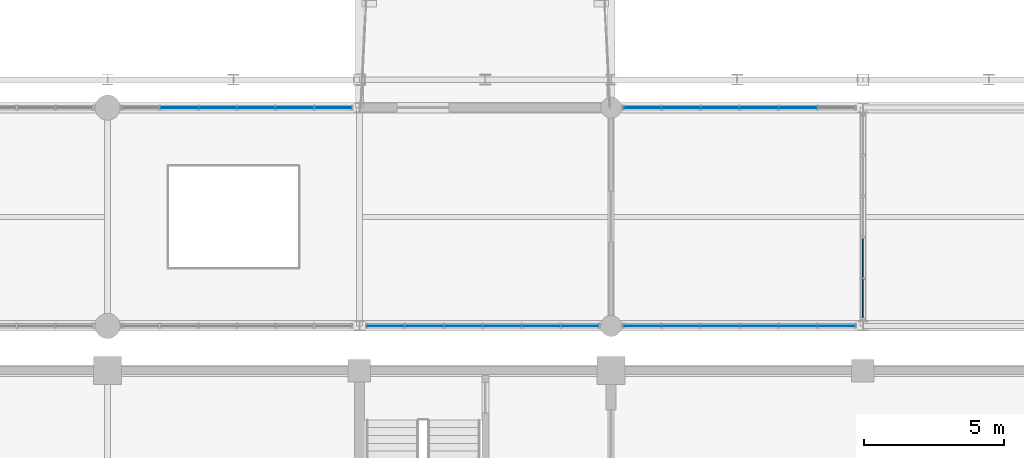
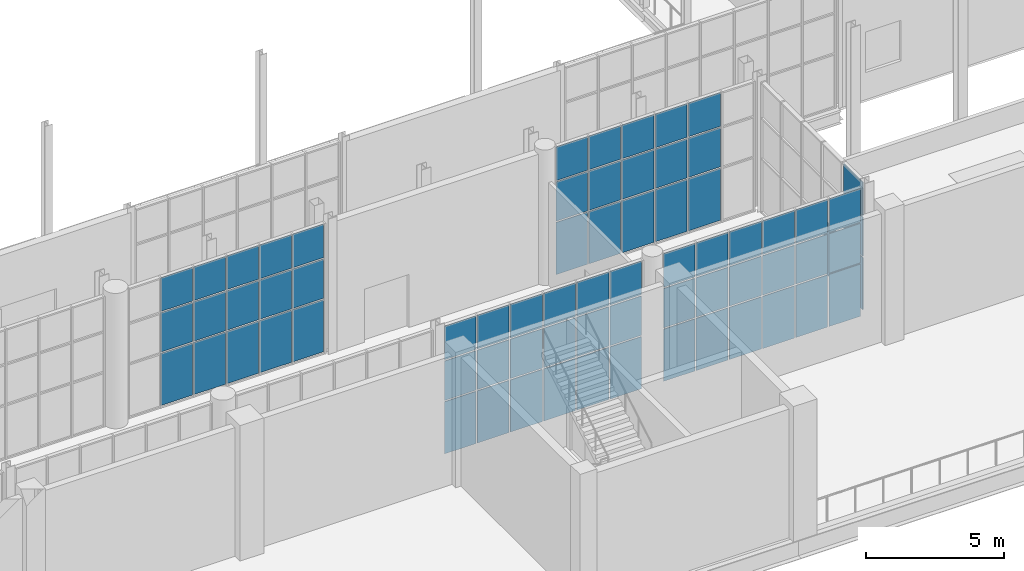
# One storey, part 111 of 159: 70 plates, 5 elements without a shape of their own.
"""IFC4 building model written with IfcOpenShell, lengths in metres."""

from ifc_helpers import new_model, si_unit, direction, frame, origin, origin_2d, place, context, subcontext, project, spatial, rectangle, extrude, material, layer, layer_set, type_object, element, aggregate, save


model = new_model("IFC4")

# Units and contexts
model_context = context("Model", 3, precision=1e-05, world=origin(), true_north=direction((0.0, 1.0)))
body_context = subcontext(model_context, "Body", "Model", "MODEL_VIEW")
ifc_project = project(units=[si_unit("LENGTHUNIT", "METRE"), si_unit("AREAUNIT", "SQUARE_METRE"), si_unit("VOLUMEUNIT", "CUBIC_METRE"), si_unit("PLANEANGLEUNIT", "RADIAN"), si_unit("MASSUNIT", "GRAM", prefix="KILO")], contexts=[model_context])

# Site, building, storey
site_placement = place(None, origin())
site = spatial("IfcSite", under=ifc_project, at=site_placement, CompositionType="ELEMENT")
building_placement = place(site_placement, origin())
building = spatial("IfcBuilding", under=site, at=building_placement, Name="Cazmaro Siding Exhibition Halls", CompositionType="ELEMENT")
storey_placement = place(building_placement, frame((0.0, 0.0, 6.0)))
storey = spatial("IfcBuildingStorey", under=building, at=storey_placement, Name="L01", CompositionType="ELEMENT", Elevation=6.0)

# Curtain wall, plates
ifc_material_1 = material(Name="Anodized Bronze Aluminum and Solar-Control Low-E Glazing", Category="aluminium")
ifc_layer_1 = layer(ifc_material_1, 0.179931640625)
ifc_layer_set_1 = layer_set([ifc_layer_1], Name="Anodized Bronze Aluminum and Solar-Control Low-E Glazing")
curtain_wall_type_1 = type_object("IfcCurtainWallType", Name="CWS-01", PredefinedType="USERDEFINED", material=ifc_layer_set_1)
curtain_wall_1_placement = place(storey_placement, origin())
curtain_wall_1 = element("IfcCurtainWall", 1, at=curtain_wall_1_placement, inside=storey, type_object=curtain_wall_type_1, Name="Glazed Curtain Wall CWS-01 CW-194", ObjectType="GLAZED CURTAIN WALL", PredefinedType="USERDEFINED")
ifc_material_2 = material(Name="Solar-Control Low-E Double Insulating Glass", Category="glass")
ifc_layer_2 = layer(ifc_material_2, 0.02392578125)
ifc_layer_set_2 = layer_set([ifc_layer_2], Name="Solar-Control Low-E Double Insulating Glass")
plate_type_1 = type_object("IfcPlateType", Name="CWP-01", PredefinedType="CURTAIN_PANEL", material=ifc_layer_set_2)
plate_1_placement = place(storey_placement, frame((134.064453125, 63.0, 0.06005859375), z_axis=(0.0, 0.0, 1.0), x_axis=(-1.0, 0.0, 0.0)))
plate_1 = element("IfcPlate", 2, at=plate_1_placement, type_object=plate_type_1, Name="CWS-01 panel 1.1", PredefinedType="CURTAIN_PANEL", context=body_context, shape_type="SweptSolid", body=[
    extrude(rectangle(XDim=1.291259765625, YDim=0.02392578125, at=origin_2d()), origin(), (0.0, 0.0, 1.0), 2.31005859375),
])
plate_2_placement = place(storey_placement, frame((134.064453125, 63.0, 2.43017578125), z_axis=(0.0, 0.0, 1.0), x_axis=(-1.0, 0.0, 0.0)))
plate_2 = element("IfcPlate", 3, at=plate_2_placement, type_object=plate_type_1, Name="CWS-01 panel 1.2", PredefinedType="CURTAIN_PANEL", context=body_context, shape_type="SweptSolid", body=[
    extrude(rectangle(XDim=1.291259765625, YDim=0.02392578125, at=origin_2d()), origin(), (0.0, 0.0, 1.0), 1.739990234375),
])
plate_3_placement = place(storey_placement, frame((134.064453125, 63.0, 4.22998046875), z_axis=(0.0, 0.0, 1.0), x_axis=(-1.0, 0.0, 0.0)))
plate_3 = element("IfcPlate", 4, at=plate_3_placement, type_object=plate_type_1, Name="CWS-01 panel 1.3", PredefinedType="CURTAIN_PANEL", context=body_context, shape_type="SweptSolid", body=[
    extrude(rectangle(XDim=1.291259765625, YDim=0.02392578125, at=origin_2d()), origin(), (0.0, 0.0, 1.0), 1.489990234375),
])
plate_4_placement = place(storey_placement, frame((132.6982421875, 63.0, 0.06005859375), z_axis=(0.0, 0.0, 1.0), x_axis=(-1.0, 0.0, 0.0)))
plate_4 = element("IfcPlate", 5, at=plate_4_placement, type_object=plate_type_1, Name="CWS-01 panel 2.1", PredefinedType="CURTAIN_PANEL", context=body_context, shape_type="SweptSolid", body=[
    extrude(rectangle(XDim=1.321044921875, YDim=0.02392578125, at=origin_2d()), origin(), (0.0, 0.0, 1.0), 2.31005859375),
])
plate_5_placement = place(storey_placement, frame((132.6982421875, 63.0, 2.43017578125), z_axis=(0.0, 0.0, 1.0), x_axis=(-1.0, 0.0, 0.0)))
plate_5 = element("IfcPlate", 6, at=plate_5_placement, type_object=plate_type_1, Name="CWS-01 panel 2.2", PredefinedType="CURTAIN_PANEL", context=body_context, shape_type="SweptSolid", body=[
    extrude(rectangle(XDim=1.321044921875, YDim=0.02392578125, at=origin_2d()), origin(), (0.0, 0.0, 1.0), 1.739990234375),
])
plate_6_placement = place(storey_placement, frame((132.6982421875, 63.0, 4.22998046875), z_axis=(0.0, 0.0, 1.0), x_axis=(-1.0, 0.0, 0.0)))
plate_6 = element("IfcPlate", 7, at=plate_6_placement, type_object=plate_type_1, Name="CWS-01 panel 2.3", PredefinedType="CURTAIN_PANEL", context=body_context, shape_type="SweptSolid", body=[
    extrude(rectangle(XDim=1.321044921875, YDim=0.02392578125, at=origin_2d()), origin(), (0.0, 0.0, 1.0), 1.489990234375),
])
plate_7_placement = place(storey_placement, frame((131.317138671875, 63.0, 0.06005859375), z_axis=(0.0, 0.0, 1.0), x_axis=(-1.0, 0.0, 0.0)))
plate_7 = element("IfcPlate", 8, at=plate_7_placement, type_object=plate_type_1, Name="CWS-01 panel 3.1", PredefinedType="CURTAIN_PANEL", context=body_context, shape_type="SweptSolid", body=[
    extrude(rectangle(XDim=1.321044921875, YDim=0.02392578125, at=origin_2d()), origin(), (0.0, 0.0, 1.0), 2.31005859375),
])
plate_8_placement = place(storey_placement, frame((131.317138671875, 63.0, 2.43017578125), z_axis=(0.0, 0.0, 1.0), x_axis=(-1.0, 0.0, 0.0)))
plate_8 = element("IfcPlate", 9, at=plate_8_placement, type_object=plate_type_1, Name="CWS-01 panel 3.2", PredefinedType="CURTAIN_PANEL", context=body_context, shape_type="SweptSolid", body=[
    extrude(rectangle(XDim=1.321044921875, YDim=0.02392578125, at=origin_2d()), origin(), (0.0, 0.0, 1.0), 1.739990234375),
])
plate_9_placement = place(storey_placement, frame((131.317138671875, 63.0, 4.22998046875), z_axis=(0.0, 0.0, 1.0), x_axis=(-1.0, 0.0, 0.0)))
plate_9 = element("IfcPlate", 10, at=plate_9_placement, type_object=plate_type_1, Name="CWS-01 panel 3.3", PredefinedType="CURTAIN_PANEL", context=body_context, shape_type="SweptSolid", body=[
    extrude(rectangle(XDim=1.321044921875, YDim=0.02392578125, at=origin_2d()), origin(), (0.0, 0.0, 1.0), 1.489990234375),
])
plate_10_placement = place(storey_placement, frame((129.93603515625, 63.0, 0.06005859375), z_axis=(0.0, 0.0, 1.0), x_axis=(-1.0, 0.0, 0.0)))
plate_10 = element("IfcPlate", 11, at=plate_10_placement, type_object=plate_type_1, Name="CWS-01 panel 4.1", PredefinedType="CURTAIN_PANEL", context=body_context, shape_type="SweptSolid", body=[
    extrude(rectangle(XDim=1.321044921875, YDim=0.02392578125, at=origin_2d()), origin(), (0.0, 0.0, 1.0), 2.31005859375),
])
plate_11_placement = place(storey_placement, frame((129.93603515625, 63.0, 2.43017578125), z_axis=(0.0, 0.0, 1.0), x_axis=(-1.0, 0.0, 0.0)))
plate_11 = element("IfcPlate", 12, at=plate_11_placement, type_object=plate_type_1, Name="CWS-01 panel 4.2", PredefinedType="CURTAIN_PANEL", context=body_context, shape_type="SweptSolid", body=[
    extrude(rectangle(XDim=1.321044921875, YDim=0.02392578125, at=origin_2d()), origin(), (0.0, 0.0, 1.0), 1.739990234375),
])
plate_12_placement = place(storey_placement, frame((129.93603515625, 63.0, 4.22998046875), z_axis=(0.0, 0.0, 1.0), x_axis=(-1.0, 0.0, 0.0)))
plate_12 = element("IfcPlate", 13, at=plate_12_placement, type_object=plate_type_1, Name="CWS-01 panel 4.3", PredefinedType="CURTAIN_PANEL", context=body_context, shape_type="SweptSolid", body=[
    extrude(rectangle(XDim=1.321044921875, YDim=0.02392578125, at=origin_2d()), origin(), (0.0, 0.0, 1.0), 1.489990234375),
])
plate_13_placement = place(storey_placement, frame((128.5546875, 63.0, 0.06005859375), z_axis=(0.0, 0.0, 1.0), x_axis=(-1.0, 0.0, 0.0)))
plate_13 = element("IfcPlate", 14, at=plate_13_placement, type_object=plate_type_1, Name="CWS-01 panel 5.1", PredefinedType="CURTAIN_PANEL", context=body_context, shape_type="SweptSolid", body=[
    extrude(rectangle(XDim=1.321044921875, YDim=0.02392578125, at=origin_2d()), origin(), (0.0, 0.0, 1.0), 2.31005859375),
])
plate_14_placement = place(storey_placement, frame((128.5546875, 63.0, 2.43017578125), z_axis=(0.0, 0.0, 1.0), x_axis=(-1.0, 0.0, 0.0)))
plate_14 = element("IfcPlate", 15, at=plate_14_placement, type_object=plate_type_1, Name="CWS-01 panel 5.2", PredefinedType="CURTAIN_PANEL", context=body_context, shape_type="SweptSolid", body=[
    extrude(rectangle(XDim=1.321044921875, YDim=0.02392578125, at=origin_2d()), origin(), (0.0, 0.0, 1.0), 1.739990234375),
])
plate_15_placement = place(storey_placement, frame((128.5546875, 63.0, 4.22998046875), z_axis=(0.0, 0.0, 1.0), x_axis=(-1.0, 0.0, 0.0)))
plate_15 = element("IfcPlate", 16, at=plate_15_placement, type_object=plate_type_1, Name="CWS-01 panel 5.3", PredefinedType="CURTAIN_PANEL", context=body_context, shape_type="SweptSolid", body=[
    extrude(rectangle(XDim=1.321044921875, YDim=0.02392578125, at=origin_2d()), origin(), (0.0, 0.0, 1.0), 1.489990234375),
])
aggregate(curtain_wall_1, [plate_1, plate_2, plate_3, plate_4, plate_5, plate_6, plate_7, plate_8, plate_9, plate_10, plate_11, plate_12, plate_13, plate_14, plate_15])

curtain_wall_2_placement = place(storey_placement, origin())
curtain_wall_2 = element("IfcCurtainWall", 17, at=curtain_wall_2_placement, inside=storey, type_object=curtain_wall_type_1, Name="Glazed Curtain Wall CWS-01 CW-198", ObjectType="GLAZED CURTAIN WALL", PredefinedType="USERDEFINED")
plate_16_placement = place(storey_placement, frame((135.94189453125, 55.199951171875, 0.06005859375), z_axis=(0.0, 0.0, 1.0), x_axis=(1.0, 0.0, 0.0)))
plate_16 = element("IfcPlate", 18, at=plate_16_placement, type_object=plate_type_1, Name="CWS-01 panel 1.1", PredefinedType="CURTAIN_PANEL", context=body_context, shape_type="SweptSolid", body=[
    extrude(rectangle(XDim=1.3037109375, YDim=0.02392578125, at=origin_2d()), origin(), (0.0, 0.0, 1.0), 2.31005859375),
])
plate_17_placement = place(storey_placement, frame((135.94189453125, 55.199951171875, 2.43017578125), z_axis=(0.0, 0.0, 1.0), x_axis=(1.0, 0.0, 0.0)))
plate_17 = element("IfcPlate", 19, at=plate_17_placement, type_object=plate_type_1, Name="CWS-01 panel 1.2", PredefinedType="CURTAIN_PANEL", context=body_context, shape_type="SweptSolid", body=[
    extrude(rectangle(XDim=1.3037109375, YDim=0.02392578125, at=origin_2d()), origin(), (0.0, 0.0, 1.0), 1.739990234375),
])
plate_18_placement = place(storey_placement, frame((135.94189453125, 55.199951171875, 4.22998046875), z_axis=(0.0, 0.0, 1.0), x_axis=(1.0, 0.0, 0.0)))
plate_18 = element("IfcPlate", 20, at=plate_18_placement, type_object=plate_type_1, Name="CWS-01 panel 1.3", PredefinedType="CURTAIN_PANEL", context=body_context, shape_type="SweptSolid", body=[
    extrude(rectangle(XDim=1.3037109375, YDim=0.02392578125, at=origin_2d()), origin(), (0.0, 0.0, 1.0), 1.489990234375),
])
plate_19_placement = place(storey_placement, frame((137.320556640625, 55.199951171875, 0.06005859375), z_axis=(0.0, 0.0, 1.0), x_axis=(1.0, 0.0, 0.0)))
plate_19 = element("IfcPlate", 21, at=plate_19_placement, type_object=plate_type_1, Name="CWS-01 panel 2.1", PredefinedType="CURTAIN_PANEL", context=body_context, shape_type="SweptSolid", body=[
    extrude(rectangle(XDim=1.333740234375, YDim=0.02392578125, at=origin_2d()), origin(), (0.0, 0.0, 1.0), 2.31005859375),
])
plate_20_placement = place(storey_placement, frame((137.320556640625, 55.199951171875, 2.43017578125), z_axis=(0.0, 0.0, 1.0), x_axis=(1.0, 0.0, 0.0)))
plate_20 = element("IfcPlate", 22, at=plate_20_placement, type_object=plate_type_1, Name="CWS-01 panel 2.2", PredefinedType="CURTAIN_PANEL", context=body_context, shape_type="SweptSolid", body=[
    extrude(rectangle(XDim=1.333740234375, YDim=0.02392578125, at=origin_2d()), origin(), (0.0, 0.0, 1.0), 1.739990234375),
])
plate_21_placement = place(storey_placement, frame((137.320556640625, 55.199951171875, 4.22998046875), z_axis=(0.0, 0.0, 1.0), x_axis=(1.0, 0.0, 0.0)))
plate_21 = element("IfcPlate", 23, at=plate_21_placement, type_object=plate_type_1, Name="CWS-01 panel 2.3", PredefinedType="CURTAIN_PANEL", context=body_context, shape_type="SweptSolid", body=[
    extrude(rectangle(XDim=1.333740234375, YDim=0.02392578125, at=origin_2d()), origin(), (0.0, 0.0, 1.0), 1.489990234375),
])
plate_22_placement = place(storey_placement, frame((138.714111328125, 55.199951171875, 0.06005859375), z_axis=(0.0, 0.0, 1.0), x_axis=(1.0, 0.0, 0.0)))
plate_22 = element("IfcPlate", 24, at=plate_22_placement, type_object=plate_type_1, Name="CWS-01 panel 3.1", PredefinedType="CURTAIN_PANEL", context=body_context, shape_type="SweptSolid", body=[
    extrude(rectangle(XDim=1.333740234375, YDim=0.02392578125, at=origin_2d()), origin(), (0.0, 0.0, 1.0), 2.31005859375),
])
plate_23_placement = place(storey_placement, frame((138.714111328125, 55.199951171875, 2.43017578125), z_axis=(0.0, 0.0, 1.0), x_axis=(1.0, 0.0, 0.0)))
plate_23 = element("IfcPlate", 25, at=plate_23_placement, type_object=plate_type_1, Name="CWS-01 panel 3.2", PredefinedType="CURTAIN_PANEL", context=body_context, shape_type="SweptSolid", body=[
    extrude(rectangle(XDim=1.333740234375, YDim=0.02392578125, at=origin_2d()), origin(), (0.0, 0.0, 1.0), 1.739990234375),
])
plate_24_placement = place(storey_placement, frame((138.714111328125, 55.199951171875, 4.22998046875), z_axis=(0.0, 0.0, 1.0), x_axis=(1.0, 0.0, 0.0)))
plate_24 = element("IfcPlate", 26, at=plate_24_placement, type_object=plate_type_1, Name="CWS-01 panel 3.3", PredefinedType="CURTAIN_PANEL", context=body_context, shape_type="SweptSolid", body=[
    extrude(rectangle(XDim=1.333740234375, YDim=0.02392578125, at=origin_2d()), origin(), (0.0, 0.0, 1.0), 1.489990234375),
])
plate_25_placement = place(storey_placement, frame((140.10791015625, 55.199951171875, 0.06005859375), z_axis=(0.0, 0.0, 1.0), x_axis=(1.0, 0.0, 0.0)))
plate_25 = element("IfcPlate", 27, at=plate_25_placement, type_object=plate_type_1, Name="CWS-01 panel 4.1", PredefinedType="CURTAIN_PANEL", context=body_context, shape_type="SweptSolid", body=[
    extrude(rectangle(XDim=1.333740234375, YDim=0.02392578125, at=origin_2d()), origin(), (0.0, 0.0, 1.0), 2.31005859375),
])
plate_26_placement = place(storey_placement, frame((140.10791015625, 55.199951171875, 2.43017578125), z_axis=(0.0, 0.0, 1.0), x_axis=(1.0, 0.0, 0.0)))
plate_26 = element("IfcPlate", 28, at=plate_26_placement, type_object=plate_type_1, Name="CWS-01 panel 4.2", PredefinedType="CURTAIN_PANEL", context=body_context, shape_type="SweptSolid", body=[
    extrude(rectangle(XDim=1.333740234375, YDim=0.02392578125, at=origin_2d()), origin(), (0.0, 0.0, 1.0), 1.739990234375),
])
plate_27_placement = place(storey_placement, frame((140.10791015625, 55.199951171875, 4.22998046875), z_axis=(0.0, 0.0, 1.0), x_axis=(1.0, 0.0, 0.0)))
plate_27 = element("IfcPlate", 29, at=plate_27_placement, type_object=plate_type_1, Name="CWS-01 panel 4.3", PredefinedType="CURTAIN_PANEL", context=body_context, shape_type="SweptSolid", body=[
    extrude(rectangle(XDim=1.333740234375, YDim=0.02392578125, at=origin_2d()), origin(), (0.0, 0.0, 1.0), 1.489990234375),
])
plate_28_placement = place(storey_placement, frame((141.50146484375, 55.199951171875, 0.06005859375), z_axis=(0.0, 0.0, 1.0), x_axis=(1.0, 0.0, 0.0)))
plate_28 = element("IfcPlate", 30, at=plate_28_placement, type_object=plate_type_1, Name="CWS-01 panel 5.1", PredefinedType="CURTAIN_PANEL", context=body_context, shape_type="SweptSolid", body=[
    extrude(rectangle(XDim=1.333740234375, YDim=0.02392578125, at=origin_2d()), origin(), (0.0, 0.0, 1.0), 2.31005859375),
])
plate_29_placement = place(storey_placement, frame((141.50146484375, 55.199951171875, 2.43017578125), z_axis=(0.0, 0.0, 1.0), x_axis=(1.0, 0.0, 0.0)))
plate_29 = element("IfcPlate", 31, at=plate_29_placement, type_object=plate_type_1, Name="CWS-01 panel 5.2", PredefinedType="CURTAIN_PANEL", context=body_context, shape_type="SweptSolid", body=[
    extrude(rectangle(XDim=1.333740234375, YDim=0.02392578125, at=origin_2d()), origin(), (0.0, 0.0, 1.0), 1.739990234375),
])
plate_30_placement = place(storey_placement, frame((141.50146484375, 55.199951171875, 4.22998046875), z_axis=(0.0, 0.0, 1.0), x_axis=(1.0, 0.0, 0.0)))
plate_30 = element("IfcPlate", 32, at=plate_30_placement, type_object=plate_type_1, Name="CWS-01 panel 5.3", PredefinedType="CURTAIN_PANEL", context=body_context, shape_type="SweptSolid", body=[
    extrude(rectangle(XDim=1.333740234375, YDim=0.02392578125, at=origin_2d()), origin(), (0.0, 0.0, 1.0), 1.489990234375),
])
plate_31_placement = place(storey_placement, frame((142.880126953125, 55.199951171875, 0.06005859375), z_axis=(0.0, 0.0, 1.0), x_axis=(1.0, 0.0, 0.0)))
plate_31 = element("IfcPlate", 33, at=plate_31_placement, type_object=plate_type_1, Name="CWS-01 panel 6.1", PredefinedType="CURTAIN_PANEL", context=body_context, shape_type="SweptSolid", body=[
    extrude(rectangle(XDim=1.3037109375, YDim=0.02392578125, at=origin_2d()), origin(), (0.0, 0.0, 1.0), 2.31005859375),
])
plate_32_placement = place(storey_placement, frame((142.880126953125, 55.199951171875, 2.43017578125), z_axis=(0.0, 0.0, 1.0), x_axis=(1.0, 0.0, 0.0)))
plate_32 = element("IfcPlate", 34, at=plate_32_placement, type_object=plate_type_1, Name="CWS-01 panel 6.2", PredefinedType="CURTAIN_PANEL", context=body_context, shape_type="SweptSolid", body=[
    extrude(rectangle(XDim=1.3037109375, YDim=0.02392578125, at=origin_2d()), origin(), (0.0, 0.0, 1.0), 1.739990234375),
])
plate_33_placement = place(storey_placement, frame((142.880126953125, 55.199951171875, 4.22998046875), z_axis=(0.0, 0.0, 1.0), x_axis=(1.0, 0.0, 0.0)))
plate_33 = element("IfcPlate", 35, at=plate_33_placement, type_object=plate_type_1, Name="CWS-01 panel 6.3", PredefinedType="CURTAIN_PANEL", context=body_context, shape_type="SweptSolid", body=[
    extrude(rectangle(XDim=1.3037109375, YDim=0.02392578125, at=origin_2d()), origin(), (0.0, 0.0, 1.0), 1.489990234375),
])
aggregate(curtain_wall_2, [plate_16, plate_17, plate_18, plate_19, plate_20, plate_21, plate_22, plate_23, plate_24, plate_25, plate_26, plate_27, plate_28, plate_29, plate_30, plate_31, plate_32, plate_33])

curtain_wall_3_placement = place(storey_placement, origin())
curtain_wall_3 = element("IfcCurtainWall", 36, at=curtain_wall_3_placement, inside=storey, type_object=curtain_wall_type_1, Name="Glazed Curtain Wall CWS-01 CW-201", ObjectType="GLAZED CURTAIN WALL", PredefinedType="USERDEFINED")
plate_34_placement = place(storey_placement, frame((145.119873046875, 55.199951171875, 0.06005859375), z_axis=(0.0, 0.0, 1.0), x_axis=(1.0, 0.0, 0.0)))
plate_34 = element("IfcPlate", 37, at=plate_34_placement, type_object=plate_type_1, Name="CWS-01 panel 1.1", PredefinedType="CURTAIN_PANEL", context=body_context, shape_type="SweptSolid", body=[
    extrude(rectangle(XDim=1.3037109375, YDim=0.02392578125, at=origin_2d()), origin(), (0.0, 0.0, 1.0), 2.31005859375),
])
plate_35_placement = place(storey_placement, frame((145.119873046875, 55.199951171875, 2.43017578125), z_axis=(0.0, 0.0, 1.0), x_axis=(1.0, 0.0, 0.0)))
plate_35 = element("IfcPlate", 38, at=plate_35_placement, type_object=plate_type_1, Name="CWS-01 panel 1.2", PredefinedType="CURTAIN_PANEL", context=body_context, shape_type="SweptSolid", body=[
    extrude(rectangle(XDim=1.3037109375, YDim=0.02392578125, at=origin_2d()), origin(), (0.0, 0.0, 1.0), 1.739990234375),
])
plate_36_placement = place(storey_placement, frame((145.119873046875, 55.199951171875, 4.22998046875), z_axis=(0.0, 0.0, 1.0), x_axis=(1.0, 0.0, 0.0)))
plate_36 = element("IfcPlate", 39, at=plate_36_placement, type_object=plate_type_1, Name="CWS-01 panel 1.3", PredefinedType="CURTAIN_PANEL", context=body_context, shape_type="SweptSolid", body=[
    extrude(rectangle(XDim=1.3037109375, YDim=0.02392578125, at=origin_2d()), origin(), (0.0, 0.0, 1.0), 1.489990234375),
])
plate_37_placement = place(storey_placement, frame((146.49853515625, 55.199951171875, 0.06005859375), z_axis=(0.0, 0.0, 1.0), x_axis=(1.0, 0.0, 0.0)))
plate_37 = element("IfcPlate", 40, at=plate_37_placement, type_object=plate_type_1, Name="CWS-01 panel 2.1", PredefinedType="CURTAIN_PANEL", context=body_context, shape_type="SweptSolid", body=[
    extrude(rectangle(XDim=1.333740234375, YDim=0.02392578125, at=origin_2d()), origin(), (0.0, 0.0, 1.0), 2.31005859375),
])
plate_38_placement = place(storey_placement, frame((146.49853515625, 55.199951171875, 2.43017578125), z_axis=(0.0, 0.0, 1.0), x_axis=(1.0, 0.0, 0.0)))
plate_38 = element("IfcPlate", 41, at=plate_38_placement, type_object=plate_type_1, Name="CWS-01 panel 2.2", PredefinedType="CURTAIN_PANEL", context=body_context, shape_type="SweptSolid", body=[
    extrude(rectangle(XDim=1.333740234375, YDim=0.02392578125, at=origin_2d()), origin(), (0.0, 0.0, 1.0), 1.739990234375),
])
plate_39_placement = place(storey_placement, frame((146.49853515625, 55.199951171875, 4.22998046875), z_axis=(0.0, 0.0, 1.0), x_axis=(1.0, 0.0, 0.0)))
plate_39 = element("IfcPlate", 42, at=plate_39_placement, type_object=plate_type_1, Name="CWS-01 panel 2.3", PredefinedType="CURTAIN_PANEL", context=body_context, shape_type="SweptSolid", body=[
    extrude(rectangle(XDim=1.333740234375, YDim=0.02392578125, at=origin_2d()), origin(), (0.0, 0.0, 1.0), 1.489990234375),
])
plate_40_placement = place(storey_placement, frame((147.89208984375, 55.199951171875, 0.06005859375), z_axis=(0.0, 0.0, 1.0), x_axis=(1.0, 0.0, 0.0)))
plate_40 = element("IfcPlate", 43, at=plate_40_placement, type_object=plate_type_1, Name="CWS-01 panel 3.1", PredefinedType="CURTAIN_PANEL", context=body_context, shape_type="SweptSolid", body=[
    extrude(rectangle(XDim=1.333740234375, YDim=0.02392578125, at=origin_2d()), origin(), (0.0, 0.0, 1.0), 2.31005859375),
])
plate_41_placement = place(storey_placement, frame((147.89208984375, 55.199951171875, 2.43017578125), z_axis=(0.0, 0.0, 1.0), x_axis=(1.0, 0.0, 0.0)))
plate_41 = element("IfcPlate", 44, at=plate_41_placement, type_object=plate_type_1, Name="CWS-01 panel 3.2", PredefinedType="CURTAIN_PANEL", context=body_context, shape_type="SweptSolid", body=[
    extrude(rectangle(XDim=1.333740234375, YDim=0.02392578125, at=origin_2d()), origin(), (0.0, 0.0, 1.0), 1.739990234375),
])
plate_42_placement = place(storey_placement, frame((147.89208984375, 55.199951171875, 4.22998046875), z_axis=(0.0, 0.0, 1.0), x_axis=(1.0, 0.0, 0.0)))
plate_42 = element("IfcPlate", 45, at=plate_42_placement, type_object=plate_type_1, Name="CWS-01 panel 3.3", PredefinedType="CURTAIN_PANEL", context=body_context, shape_type="SweptSolid", body=[
    extrude(rectangle(XDim=1.333740234375, YDim=0.02392578125, at=origin_2d()), origin(), (0.0, 0.0, 1.0), 1.489990234375),
])
plate_43_placement = place(storey_placement, frame((149.285888671875, 55.199951171875, 0.06005859375), z_axis=(0.0, 0.0, 1.0), x_axis=(1.0, 0.0, 0.0)))
plate_43 = element("IfcPlate", 46, at=plate_43_placement, type_object=plate_type_1, Name="CWS-01 panel 4.1", PredefinedType="CURTAIN_PANEL", context=body_context, shape_type="SweptSolid", body=[
    extrude(rectangle(XDim=1.333740234375, YDim=0.02392578125, at=origin_2d()), origin(), (0.0, 0.0, 1.0), 2.31005859375),
])
plate_44_placement = place(storey_placement, frame((149.285888671875, 55.199951171875, 2.43017578125), z_axis=(0.0, 0.0, 1.0), x_axis=(1.0, 0.0, 0.0)))
plate_44 = element("IfcPlate", 47, at=plate_44_placement, type_object=plate_type_1, Name="CWS-01 panel 4.2", PredefinedType="CURTAIN_PANEL", context=body_context, shape_type="SweptSolid", body=[
    extrude(rectangle(XDim=1.333740234375, YDim=0.02392578125, at=origin_2d()), origin(), (0.0, 0.0, 1.0), 1.739990234375),
])
plate_45_placement = place(storey_placement, frame((149.285888671875, 55.199951171875, 4.22998046875), z_axis=(0.0, 0.0, 1.0), x_axis=(1.0, 0.0, 0.0)))
plate_45 = element("IfcPlate", 48, at=plate_45_placement, type_object=plate_type_1, Name="CWS-01 panel 4.3", PredefinedType="CURTAIN_PANEL", context=body_context, shape_type="SweptSolid", body=[
    extrude(rectangle(XDim=1.333740234375, YDim=0.02392578125, at=origin_2d()), origin(), (0.0, 0.0, 1.0), 1.489990234375),
])
plate_46_placement = place(storey_placement, frame((150.679443359375, 55.199951171875, 0.06005859375), z_axis=(0.0, 0.0, 1.0), x_axis=(1.0, 0.0, 0.0)))
plate_46 = element("IfcPlate", 49, at=plate_46_placement, type_object=plate_type_1, Name="CWS-01 panel 5.1", PredefinedType="CURTAIN_PANEL", context=body_context, shape_type="SweptSolid", body=[
    extrude(rectangle(XDim=1.333740234375, YDim=0.02392578125, at=origin_2d()), origin(), (0.0, 0.0, 1.0), 2.31005859375),
])
plate_47_placement = place(storey_placement, frame((150.679443359375, 55.199951171875, 2.43017578125), z_axis=(0.0, 0.0, 1.0), x_axis=(1.0, 0.0, 0.0)))
plate_47 = element("IfcPlate", 50, at=plate_47_placement, type_object=plate_type_1, Name="CWS-01 panel 5.2", PredefinedType="CURTAIN_PANEL", context=body_context, shape_type="SweptSolid", body=[
    extrude(rectangle(XDim=1.333740234375, YDim=0.02392578125, at=origin_2d()), origin(), (0.0, 0.0, 1.0), 1.739990234375),
])
plate_48_placement = place(storey_placement, frame((150.679443359375, 55.199951171875, 4.22998046875), z_axis=(0.0, 0.0, 1.0), x_axis=(1.0, 0.0, 0.0)))
plate_48 = element("IfcPlate", 51, at=plate_48_placement, type_object=plate_type_1, Name="CWS-01 panel 5.3", PredefinedType="CURTAIN_PANEL", context=body_context, shape_type="SweptSolid", body=[
    extrude(rectangle(XDim=1.333740234375, YDim=0.02392578125, at=origin_2d()), origin(), (0.0, 0.0, 1.0), 1.489990234375),
])
plate_49_placement = place(storey_placement, frame((152.05810546875, 55.199951171875, 0.06005859375), z_axis=(0.0, 0.0, 1.0), x_axis=(1.0, 0.0, 0.0)))
plate_49 = element("IfcPlate", 52, at=plate_49_placement, type_object=plate_type_1, Name="CWS-01 panel 6.1", PredefinedType="CURTAIN_PANEL", context=body_context, shape_type="SweptSolid", body=[
    extrude(rectangle(XDim=1.3037109375, YDim=0.02392578125, at=origin_2d()), origin(), (0.0, 0.0, 1.0), 2.31005859375),
])
plate_50_placement = place(storey_placement, frame((152.05810546875, 55.199951171875, 2.43017578125), z_axis=(0.0, 0.0, 1.0), x_axis=(1.0, 0.0, 0.0)))
plate_50 = element("IfcPlate", 53, at=plate_50_placement, type_object=plate_type_1, Name="CWS-01 panel 6.2", PredefinedType="CURTAIN_PANEL", context=body_context, shape_type="SweptSolid", body=[
    extrude(rectangle(XDim=1.3037109375, YDim=0.02392578125, at=origin_2d()), origin(), (0.0, 0.0, 1.0), 1.739990234375),
])
plate_51_placement = place(storey_placement, frame((152.05810546875, 55.199951171875, 4.22998046875), z_axis=(0.0, 0.0, 1.0), x_axis=(1.0, 0.0, 0.0)))
plate_51 = element("IfcPlate", 54, at=plate_51_placement, type_object=plate_type_1, Name="CWS-01 panel 6.3", PredefinedType="CURTAIN_PANEL", context=body_context, shape_type="SweptSolid", body=[
    extrude(rectangle(XDim=1.3037109375, YDim=0.02392578125, at=origin_2d()), origin(), (0.0, 0.0, 1.0), 1.489990234375),
])
aggregate(curtain_wall_3, [plate_34, plate_35, plate_36, plate_37, plate_38, plate_39, plate_40, plate_41, plate_42, plate_43, plate_44, plate_45, plate_46, plate_47, plate_48, plate_49, plate_50, plate_51])

curtain_wall_4_placement = place(storey_placement, origin())
curtain_wall_4 = element("IfcCurtainWall", 55, at=curtain_wall_4_placement, inside=storey, type_object=curtain_wall_type_1, Name="Glazed Curtain Wall CWS-01 CW-203", ObjectType="GLAZED CURTAIN WALL", PredefinedType="USERDEFINED")
plate_52_placement = place(storey_placement, frame((150.679443359375, 63.0, 0.06005859375), z_axis=(0.0, 0.0, 1.0), x_axis=(-1.0, 0.0, 0.0)))
plate_52 = element("IfcPlate", 56, at=plate_52_placement, type_object=plate_type_1, Name="CWS-01 panel 2.1", PredefinedType="CURTAIN_PANEL", context=body_context, shape_type="SweptSolid", body=[
    extrude(rectangle(XDim=1.333740234375, YDim=0.02392578125, at=origin_2d()), origin(), (0.0, 0.0, 1.0), 2.31005859375),
])
plate_53_placement = place(storey_placement, frame((150.679443359375, 63.0, 2.43017578125), z_axis=(0.0, 0.0, 1.0), x_axis=(-1.0, 0.0, 0.0)))
plate_53 = element("IfcPlate", 57, at=plate_53_placement, type_object=plate_type_1, Name="CWS-01 panel 2.2", PredefinedType="CURTAIN_PANEL", context=body_context, shape_type="SweptSolid", body=[
    extrude(rectangle(XDim=1.333740234375, YDim=0.02392578125, at=origin_2d()), origin(), (0.0, 0.0, 1.0), 1.739990234375),
])
plate_54_placement = place(storey_placement, frame((150.679443359375, 63.0, 4.22998046875), z_axis=(0.0, 0.0, 1.0), x_axis=(-1.0, 0.0, 0.0)))
plate_54 = element("IfcPlate", 58, at=plate_54_placement, type_object=plate_type_1, Name="CWS-01 panel 2.3", PredefinedType="CURTAIN_PANEL", context=body_context, shape_type="SweptSolid", body=[
    extrude(rectangle(XDim=1.333740234375, YDim=0.02392578125, at=origin_2d()), origin(), (0.0, 0.0, 1.0), 1.489990234375),
])
plate_55_placement = place(storey_placement, frame((149.285888671875, 63.0, 0.06005859375), z_axis=(0.0, 0.0, 1.0), x_axis=(-1.0, 0.0, 0.0)))
plate_55 = element("IfcPlate", 59, at=plate_55_placement, type_object=plate_type_1, Name="CWS-01 panel 3.1", PredefinedType="CURTAIN_PANEL", context=body_context, shape_type="SweptSolid", body=[
    extrude(rectangle(XDim=1.333740234375, YDim=0.02392578125, at=origin_2d()), origin(), (0.0, 0.0, 1.0), 2.31005859375),
])
plate_56_placement = place(storey_placement, frame((149.285888671875, 63.0, 2.43017578125), z_axis=(0.0, 0.0, 1.0), x_axis=(-1.0, 0.0, 0.0)))
plate_56 = element("IfcPlate", 60, at=plate_56_placement, type_object=plate_type_1, Name="CWS-01 panel 3.2", PredefinedType="CURTAIN_PANEL", context=body_context, shape_type="SweptSolid", body=[
    extrude(rectangle(XDim=1.333740234375, YDim=0.02392578125, at=origin_2d()), origin(), (0.0, 0.0, 1.0), 1.739990234375),
])
plate_57_placement = place(storey_placement, frame((149.285888671875, 63.0, 4.22998046875), z_axis=(0.0, 0.0, 1.0), x_axis=(-1.0, 0.0, 0.0)))
plate_57 = element("IfcPlate", 61, at=plate_57_placement, type_object=plate_type_1, Name="CWS-01 panel 3.3", PredefinedType="CURTAIN_PANEL", context=body_context, shape_type="SweptSolid", body=[
    extrude(rectangle(XDim=1.333740234375, YDim=0.02392578125, at=origin_2d()), origin(), (0.0, 0.0, 1.0), 1.489990234375),
])
plate_58_placement = place(storey_placement, frame((147.89208984375, 63.0, 0.06005859375), z_axis=(0.0, 0.0, 1.0), x_axis=(-1.0, 0.0, 0.0)))
plate_58 = element("IfcPlate", 62, at=plate_58_placement, type_object=plate_type_1, Name="CWS-01 panel 4.1", PredefinedType="CURTAIN_PANEL", context=body_context, shape_type="SweptSolid", body=[
    extrude(rectangle(XDim=1.333740234375, YDim=0.02392578125, at=origin_2d()), origin(), (0.0, 0.0, 1.0), 2.31005859375),
])
plate_59_placement = place(storey_placement, frame((147.89208984375, 63.0, 2.43017578125), z_axis=(0.0, 0.0, 1.0), x_axis=(-1.0, 0.0, 0.0)))
plate_59 = element("IfcPlate", 63, at=plate_59_placement, type_object=plate_type_1, Name="CWS-01 panel 4.2", PredefinedType="CURTAIN_PANEL", context=body_context, shape_type="SweptSolid", body=[
    extrude(rectangle(XDim=1.333740234375, YDim=0.02392578125, at=origin_2d()), origin(), (0.0, 0.0, 1.0), 1.739990234375),
])
plate_60_placement = place(storey_placement, frame((147.89208984375, 63.0, 4.22998046875), z_axis=(0.0, 0.0, 1.0), x_axis=(-1.0, 0.0, 0.0)))
plate_60 = element("IfcPlate", 64, at=plate_60_placement, type_object=plate_type_1, Name="CWS-01 panel 4.3", PredefinedType="CURTAIN_PANEL", context=body_context, shape_type="SweptSolid", body=[
    extrude(rectangle(XDim=1.333740234375, YDim=0.02392578125, at=origin_2d()), origin(), (0.0, 0.0, 1.0), 1.489990234375),
])
plate_61_placement = place(storey_placement, frame((146.49853515625, 63.0, 0.06005859375), z_axis=(0.0, 0.0, 1.0), x_axis=(-1.0, 0.0, 0.0)))
plate_61 = element("IfcPlate", 65, at=plate_61_placement, type_object=plate_type_1, Name="CWS-01 panel 5.1", PredefinedType="CURTAIN_PANEL", context=body_context, shape_type="SweptSolid", body=[
    extrude(rectangle(XDim=1.333740234375, YDim=0.02392578125, at=origin_2d()), origin(), (0.0, 0.0, 1.0), 2.31005859375),
])
plate_62_placement = place(storey_placement, frame((146.49853515625, 63.0, 2.43017578125), z_axis=(0.0, 0.0, 1.0), x_axis=(-1.0, 0.0, 0.0)))
plate_62 = element("IfcPlate", 66, at=plate_62_placement, type_object=plate_type_1, Name="CWS-01 panel 5.2", PredefinedType="CURTAIN_PANEL", context=body_context, shape_type="SweptSolid", body=[
    extrude(rectangle(XDim=1.333740234375, YDim=0.02392578125, at=origin_2d()), origin(), (0.0, 0.0, 1.0), 1.739990234375),
])
plate_63_placement = place(storey_placement, frame((146.49853515625, 63.0, 4.22998046875), z_axis=(0.0, 0.0, 1.0), x_axis=(-1.0, 0.0, 0.0)))
plate_63 = element("IfcPlate", 67, at=plate_63_placement, type_object=plate_type_1, Name="CWS-01 panel 5.3", PredefinedType="CURTAIN_PANEL", context=body_context, shape_type="SweptSolid", body=[
    extrude(rectangle(XDim=1.333740234375, YDim=0.02392578125, at=origin_2d()), origin(), (0.0, 0.0, 1.0), 1.489990234375),
])
plate_64_placement = place(storey_placement, frame((145.119873046875, 63.0, 0.06005859375), z_axis=(0.0, 0.0, 1.0), x_axis=(-1.0, 0.0, 0.0)))
plate_64 = element("IfcPlate", 68, at=plate_64_placement, type_object=plate_type_1, Name="CWS-01 panel 6.1", PredefinedType="CURTAIN_PANEL", context=body_context, shape_type="SweptSolid", body=[
    extrude(rectangle(XDim=1.3037109375, YDim=0.02392578125, at=origin_2d()), origin(), (0.0, 0.0, 1.0), 2.31005859375),
])
plate_65_placement = place(storey_placement, frame((145.119873046875, 63.0, 2.43017578125), z_axis=(0.0, 0.0, 1.0), x_axis=(-1.0, 0.0, 0.0)))
plate_65 = element("IfcPlate", 69, at=plate_65_placement, type_object=plate_type_1, Name="CWS-01 panel 6.2", PredefinedType="CURTAIN_PANEL", context=body_context, shape_type="SweptSolid", body=[
    extrude(rectangle(XDim=1.3037109375, YDim=0.02392578125, at=origin_2d()), origin(), (0.0, 0.0, 1.0), 1.739990234375),
])
plate_66_placement = place(storey_placement, frame((145.119873046875, 63.0, 4.22998046875), z_axis=(0.0, 0.0, 1.0), x_axis=(-1.0, 0.0, 0.0)))
plate_66 = element("IfcPlate", 70, at=plate_66_placement, type_object=plate_type_1, Name="CWS-01 panel 6.3", PredefinedType="CURTAIN_PANEL", context=body_context, shape_type="SweptSolid", body=[
    extrude(rectangle(XDim=1.3037109375, YDim=0.02392578125, at=origin_2d()), origin(), (0.0, 0.0, 1.0), 1.489990234375),
])
aggregate(curtain_wall_4, [plate_52, plate_53, plate_54, plate_55, plate_56, plate_57, plate_58, plate_59, plate_60, plate_61, plate_62, plate_63, plate_64, plate_65, plate_66])

ifc_material_3 = material(Name="Anodized Bronze Aluminum and Solar-Control Low-E Glazing", Category="aluminium")
ifc_layer_3 = layer(ifc_material_3, 0.199951171875)
ifc_layer_set_3 = layer_set([ifc_layer_3], Name="Anodized Bronze Aluminum and Solar-Control Low-E Glazing")
curtain_wall_type_2 = type_object("IfcCurtainWallType", Name="CWS-02", PredefinedType="USERDEFINED", material=ifc_layer_set_3)
curtain_wall_5_placement = place(storey_placement, origin())
curtain_wall_5 = element("IfcCurtainWall", 71, at=curtain_wall_5_placement, inside=storey, type_object=curtain_wall_type_2, Name="Glazed Curtain Wall CWS-02 CW-208", ObjectType="GLAZED CURTAIN WALL", PredefinedType="USERDEFINED")
ifc_material_4 = material(Name="Solar-Control Low-E Double Insulating Glass", Category="glass")
ifc_layer_4 = layer(ifc_material_4, 0.035888671875)
ifc_layer_set_4 = layer_set([ifc_layer_4], Name="Solar-Control Low-E Double Insulating Glass")
plate_type_2 = type_object("IfcPlateType", Name="CWP-02", PredefinedType="CURTAIN_PANEL", material=ifc_layer_set_4)
plate_67_placement = place(storey_placement, frame((153.0, 56.177734375, 0.06494140625), z_axis=(0.0, 0.0, 1.0), x_axis=(0.0, 1.0, 0.0)))
plate_67 = element("IfcPlate", 72, at=plate_67_placement, type_object=plate_type_2, Name="CWS-02 panel 1.1", PredefinedType="CURTAIN_PANEL", context=body_context, shape_type="SweptSolid", body=[
    extrude(rectangle(XDim=1.37158203125, YDim=0.035888671875, at=origin_2d()), origin(), (0.0, 0.0, 1.0), 2.302490234375),
])
plate_68_placement = place(storey_placement, frame((153.0, 56.177734375, 2.4326171875), z_axis=(0.0, 0.0, 1.0), x_axis=(0.0, 1.0, 0.0)))
plate_68 = element("IfcPlate", 73, at=plate_68_placement, type_object=plate_type_2, Name="CWS-02 panel 1.2", PredefinedType="CURTAIN_PANEL", context=body_context, shape_type="SweptSolid", body=[
    extrude(rectangle(XDim=1.37158203125, YDim=0.035888671875, at=origin_2d()), origin(), (0.0, 0.0, 1.0), 1.735107421875),
])
plate_69_placement = place(storey_placement, frame((153.0, 56.177734375, 4.232421875), z_axis=(0.0, 0.0, 1.0), x_axis=(0.0, 1.0, 0.0)))
plate_69 = element("IfcPlate", 74, at=plate_69_placement, type_object=plate_type_2, Name="CWS-02 panel 1.3", PredefinedType="CURTAIN_PANEL", context=body_context, shape_type="SweptSolid", body=[
    extrude(rectangle(XDim=1.37158203125, YDim=0.035888671875, at=origin_2d()), origin(), (0.0, 0.0, 1.0), 1.482421875),
])
plate_70_placement = place(storey_placement, frame((153.0, 57.630859375, 0.06494140625), z_axis=(0.0, 0.0, 1.0), x_axis=(0.0, 1.0, 0.0)))
plate_70 = element("IfcPlate", 75, at=plate_70_placement, type_object=plate_type_2, Name="CWS-02 panel 2.1", PredefinedType="CURTAIN_PANEL", context=body_context, shape_type="SweptSolid", body=[
    extrude(rectangle(XDim=1.404296875, YDim=0.035888671875, at=origin_2d()), origin(), (0.0, 0.0, 1.0), 2.302490234375),
])
aggregate(curtain_wall_5, [plate_67, plate_68, plate_69, plate_70])

save(model, "model.ifc")
